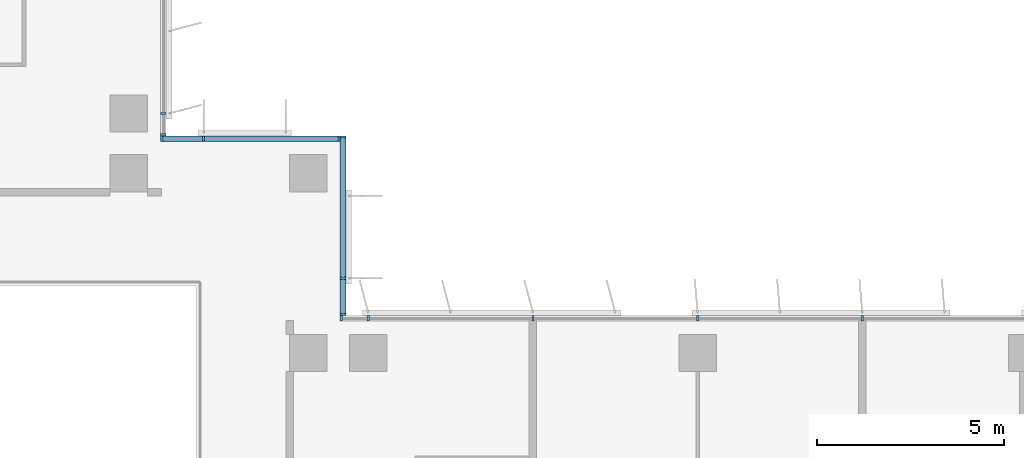
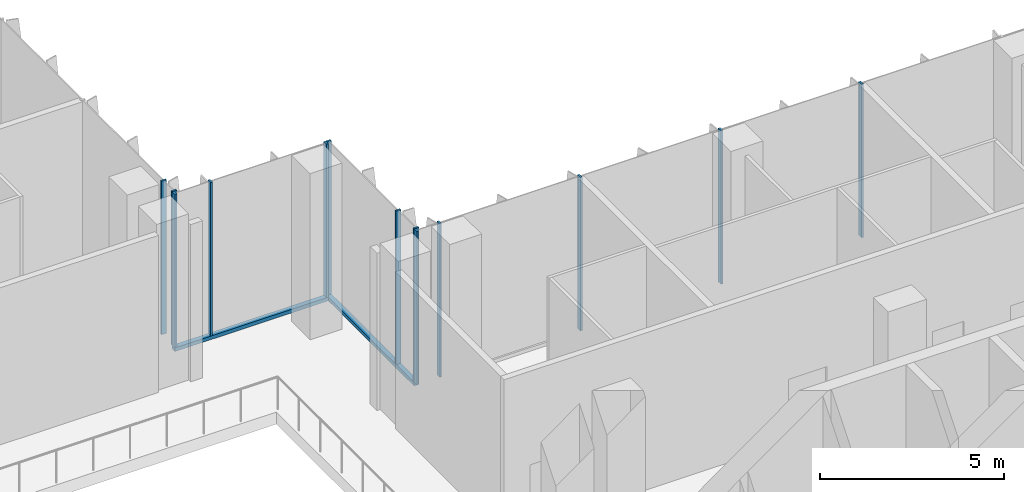
# One storey, part 2 of 24: 15 members, 4 elements without a shape of their own.
"""IFC4 building model written with IfcOpenShell, lengths in metres."""

from ifc_helpers import new_model, si_unit, direction, frame, origin, origin_2d, place, context, subcontext, project, spatial, rectangle, extrude, source, transform, mapped, material, material_profile, profile_set, type_object, element, aggregate, save


model = new_model("IFC4")

# Units and contexts
model_context = context("Model", 3, precision=1e-05, world=origin(), true_north=direction((0.0, 1.0)))
body_context = subcontext(model_context, "Body", "Model", "MODEL_VIEW")
ifc_project = project(units=[si_unit("LENGTHUNIT", "METRE"), si_unit("AREAUNIT", "SQUARE_METRE"), si_unit("VOLUMEUNIT", "CUBIC_METRE"), si_unit("PLANEANGLEUNIT", "RADIAN"), si_unit("MASSUNIT", "GRAM", prefix="KILO")], contexts=[model_context])

# Site, building, storey
site_placement = place(None, origin())
site = spatial("IfcSite", under=ifc_project, at=site_placement, CompositionType="ELEMENT")
building_placement = place(site_placement, origin())
building = spatial("IfcBuilding", under=site, at=building_placement, Name="Kemantara Hotel Tower", CompositionType="ELEMENT")
storey_placement = place(building_placement, frame((0.0, 0.0, 202.5)))
storey = spatial("IfcBuildingStorey", under=building, at=storey_placement, Name="L50", CompositionType="ELEMENT", Elevation=202.5)

# Curtain wall, member
ifc_material_1 = material(Name="Low-E tinted double insulated glass 36 mm", Category="glass")
curtain_wall_type = type_object("IfcCurtainWallType", Name="TOWER CURTAIN WALL, FRONT FACES", PredefinedType="USERDEFINED", material=ifc_material_1)
curtain_wall_1_placement = place(storey_placement, origin())
curtain_wall_1 = element("IfcCurtainWall", 1, at=curtain_wall_1_placement, inside=storey, type_object=curtain_wall_type, Name="CW4 L50 T3S-R16-1", ObjectType="TOWER CURTAIN WALL, FRONT FACES", PredefinedType="USERDEFINED")
ifc_material_2 = material(Name="Aluminium 6063-T6 bronze anodised", Category="aluminium")
ifc_material_profile_1 = material_profile(ifc_material_2, rectangle(XDim=0.14990234375, YDim=0.1201171875, at=origin_2d()), Name="TOWER CURTAIN WALL, FRONT FACES TRANSOM")
ifc_profile_set_1 = profile_set([ifc_material_profile_1], Name="Aluminium 6063-T6 bronze anodised")
member_type_1 = type_object("IfcMemberType", Name="TOWER CURTAIN WALL, FRONT FACES TRANSOM", PredefinedType="USERDEFINED", material=ifc_profile_set_1)
member_1_placement = place(storey_placement, frame((26.72509765625, 22.0, 0.06005859375), z_axis=(0.0, 1.0, 0.0), x_axis=(-1.0, 0.0, 0.0)))
member_1 = element("IfcMember", 2, at=member_1_placement, type_object=member_type_1, Name="CW4 sill transom T3S-R16-1", ObjectType="TRANSOM", PredefinedType="USERDEFINED", context=body_context, shape_type="SweptSolid", body=[
    extrude(rectangle(XDim=0.14990234375, YDim=0.1201171875, at=origin_2d()), origin(), (0.0, 0.0, 1.0), 4.800048828125),
])

curtain_wall_2_placement = place(storey_placement, origin())
curtain_wall_2 = element("IfcCurtainWall", 3, at=curtain_wall_2_placement, inside=storey, type_object=curtain_wall_type, Name="CW4 L50 T3S-R17-1", ObjectType="TOWER CURTAIN WALL, FRONT FACES", PredefinedType="USERDEFINED")
member_2_placement = place(storey_placement, frame((26.64990234375, 26.72509765625, 0.06005859375), z_axis=(-1.0, 0.0, 0.0), x_axis=(0.0, -1.0, 0.0)))
member_2 = element("IfcMember", 4, at=member_2_placement, type_object=member_type_1, Name="CW4 sill transom T3S-R17-1", ObjectType="TRANSOM", PredefinedType="USERDEFINED", context=body_context, shape_type="SweptSolid", body=[
    extrude(rectangle(XDim=0.14990234375, YDim=0.1201171875, at=origin_2d()), origin(), (0.0, 0.0, 1.0), 4.7998046875),
])

# Curtain wall, members
curtain_wall_3_placement = place(storey_placement, origin())
curtain_wall_3 = element("IfcCurtainWall", 5, at=curtain_wall_3_placement, inside=storey, type_object=curtain_wall_type, Name="CW4 L50 T3S-R00-1", ObjectType="TOWER CURTAIN WALL, FRONT FACES", PredefinedType="USERDEFINED")
ifc_material_profile_2 = material_profile(ifc_material_2, rectangle(XDim=0.14990234375, YDim=0.06005859375, at=origin_2d()), Name="TOWER CURTAIN WALL, FRONT FACES MULLION")
ifc_profile_set_2 = profile_set([ifc_material_profile_2], Name="Aluminium 6063-T6 bronze anodised")
member_type_2 = type_object("IfcMemberType", Name="TOWER CURTAIN WALL, FRONT FACES MULLION", PredefinedType="MULLION", material=ifc_profile_set_2)
shared_shape = source(origin(), body_context, "Body", "SweptSolid", [
    extrude(rectangle(XDim=0.14990234375, YDim=0.06005859375, at=origin_2d()), origin(), (0.0, 0.0, 1.0), 5.079833984375),
])
member_3_placement = place(storey_placement, frame((21.925048828125, 26.830078125, 0.1201171875), z_axis=(0.0, 0.0, 1.0), x_axis=(-1.0, 0.0, 0.0)))
member_3 = element("IfcMember", 6, at=member_3_placement, type_object=member_type_2, Name="CW4 mullion T3S-R00-1.1", PredefinedType="MULLION", context=body_context, shape_type="MappedRepresentation", body=[
    mapped(shared_shape, transform((0.0, 0.0, 0.0))),
])
member_4_placement = place(storey_placement, frame((21.925048828125, 27.39990234375, 0.1201171875), z_axis=(0.0, 0.0, 1.0), x_axis=(-1.0, 0.0, 0.0)))
member_4 = element("IfcMember", 7, at=member_4_placement, type_object=member_type_2, Name="CW4 mullion T3S-R00-1.2", PredefinedType="MULLION", context=body_context, shape_type="MappedRepresentation", body=[
    mapped(shared_shape, transform((0.0, 0.0, 0.0))),
])
aggregate(curtain_wall_3, [member_3, member_4])

curtain_wall_4_placement = place(storey_placement, origin())
curtain_wall_4 = element("IfcCurtainWall", 8, at=curtain_wall_4_placement, inside=storey, type_object=curtain_wall_type, Name="CW4 L50 T3S-R15-1", ObjectType="TOWER CURTAIN WALL, FRONT FACES", PredefinedType="USERDEFINED")
member_5_placement = place(storey_placement, frame((40.60009765625, 21.925048828125, 0.1201171875), z_axis=(0.0, 0.0, 1.0), x_axis=(0.0, -1.0, 0.0)))
member_5 = element("IfcMember", 9, at=member_5_placement, type_object=member_type_2, Name="CW4 mullion T3S-R15-1.6", PredefinedType="MULLION", context=body_context, shape_type="MappedRepresentation", body=[
    mapped(shared_shape, transform((0.0, 0.0, 0.0))),
])
member_6_placement = place(storey_placement, frame((36.199951171875, 21.925048828125, 0.1201171875), z_axis=(0.0, 0.0, 1.0), x_axis=(0.0, -1.0, 0.0)))
member_6 = element("IfcMember", 10, at=member_6_placement, type_object=member_type_2, Name="CW4 mullion T3S-R15-1.7", PredefinedType="MULLION", context=body_context, shape_type="MappedRepresentation", body=[
    mapped(shared_shape, transform((0.0, 0.0, 0.0))),
])
member_7_placement = place(storey_placement, frame((31.800048828125, 21.925048828125, 0.1201171875), z_axis=(0.0, 0.0, 1.0), x_axis=(0.0, -1.0, 0.0)))
member_7 = element("IfcMember", 11, at=member_7_placement, type_object=member_type_2, Name="CW4 mullion T3S-R15-1.8", PredefinedType="MULLION", context=body_context, shape_type="MappedRepresentation", body=[
    mapped(shared_shape, transform((0.0, 0.0, 0.0))),
])
member_8_placement = place(storey_placement, frame((27.39990234375, 21.925048828125, 0.1201171875), z_axis=(0.0, 0.0, 1.0), x_axis=(0.0, -1.0, 0.0)))
member_8 = element("IfcMember", 12, at=member_8_placement, type_object=member_type_2, Name="CW4 mullion T3S-R15-1.9", PredefinedType="MULLION", context=body_context, shape_type="MappedRepresentation", body=[
    mapped(shared_shape, transform((0.0, 0.0, 0.0))),
])
member_9_placement = place(storey_placement, frame((26.679931640625, 21.925048828125, 0.1201171875), z_axis=(0.0, 0.0, 1.0), x_axis=(0.0, -1.0, 0.0)))
member_9 = element("IfcMember", 13, at=member_9_placement, type_object=member_type_2, Name="CW4 mullion T3S-R15-1.10", PredefinedType="MULLION", context=body_context, shape_type="MappedRepresentation", body=[
    mapped(shared_shape, transform((0.0, 0.0, 0.0))),
])
aggregate(curtain_wall_4, [member_5, member_6, member_7, member_8, member_9])

# Member
member_10_placement = place(storey_placement, frame((26.72509765625, 22.030029296875, 0.1201171875), z_axis=(0.0, 0.0, 1.0), x_axis=(-1.0, 0.0, 0.0)))
member_10 = element("IfcMember", 14, at=member_10_placement, type_object=member_type_2, Name="CW4 mullion T3S-R16-1.1", PredefinedType="MULLION", context=body_context, shape_type="MappedRepresentation", body=[
    mapped(shared_shape, transform((0.0, 0.0, 0.0))),
])

member_11_placement = place(storey_placement, frame((26.72509765625, 23.0, 0.1201171875), z_axis=(0.0, 0.0, 1.0), x_axis=(-1.0, 0.0, 0.0)))
member_11 = element("IfcMember", 15, at=member_11_placement, type_object=member_type_2, Name="CW4 mullion T3S-R16-1.2", PredefinedType="MULLION", context=body_context, shape_type="MappedRepresentation", body=[
    mapped(shared_shape, transform((0.0, 0.0, 0.0))),
])

member_12_placement = place(storey_placement, frame((26.72509765625, 26.77001953125, 0.1201171875), z_axis=(0.0, 0.0, 1.0), x_axis=(-1.0, 0.0, 0.0)))
member_12 = element("IfcMember", 16, at=member_12_placement, type_object=member_type_2, Name="CW4 mullion T3S-R16-1.3", PredefinedType="MULLION", context=body_context, shape_type="MappedRepresentation", body=[
    mapped(shared_shape, transform((0.0, 0.0, 0.0))),
])

aggregate(curtain_wall_1, [member_1, member_10, member_11, member_12])

member_13_placement = place(storey_placement, frame((26.6201171875, 26.72509765625, 0.1201171875), z_axis=(0.0, 0.0, 1.0), x_axis=(0.0, -1.0, 0.0)))
member_13 = element("IfcMember", 17, at=member_13_placement, type_object=member_type_2, Name="CW4 mullion T3S-R17-1.1", PredefinedType="MULLION", context=body_context, shape_type="MappedRepresentation", body=[
    mapped(shared_shape, transform((0.0, 0.0, 0.0))),
])

member_14_placement = place(storey_placement, frame((23.0, 26.72509765625, 0.1201171875), z_axis=(0.0, 0.0, 1.0), x_axis=(0.0, -1.0, 0.0)))
member_14 = element("IfcMember", 18, at=member_14_placement, type_object=member_type_2, Name="CW4 mullion T3S-R17-1.2", PredefinedType="MULLION", context=body_context, shape_type="MappedRepresentation", body=[
    mapped(shared_shape, transform((0.0, 0.0, 0.0))),
])

member_15_placement = place(storey_placement, frame((21.8798828125, 26.72509765625, 0.1201171875), z_axis=(0.0, 0.0, 1.0), x_axis=(0.0, -1.0, 0.0)))
member_15 = element("IfcMember", 19, at=member_15_placement, type_object=member_type_2, Name="CW4 mullion T3S-R17-1.3", PredefinedType="MULLION", context=body_context, shape_type="MappedRepresentation", body=[
    mapped(shared_shape, transform((0.0, 0.0, 0.0))),
])

aggregate(curtain_wall_2, [member_2, member_13, member_14, member_15])

save(model, "model.ifc")
